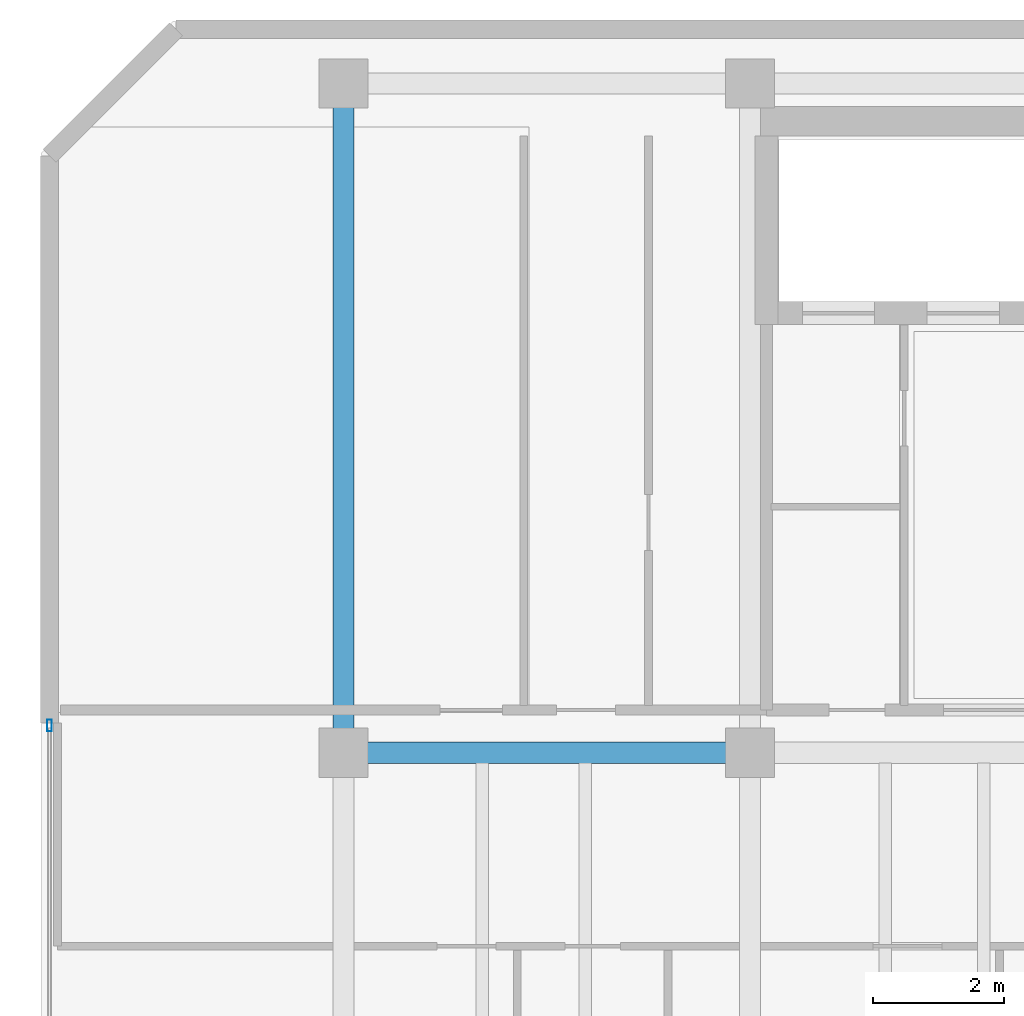
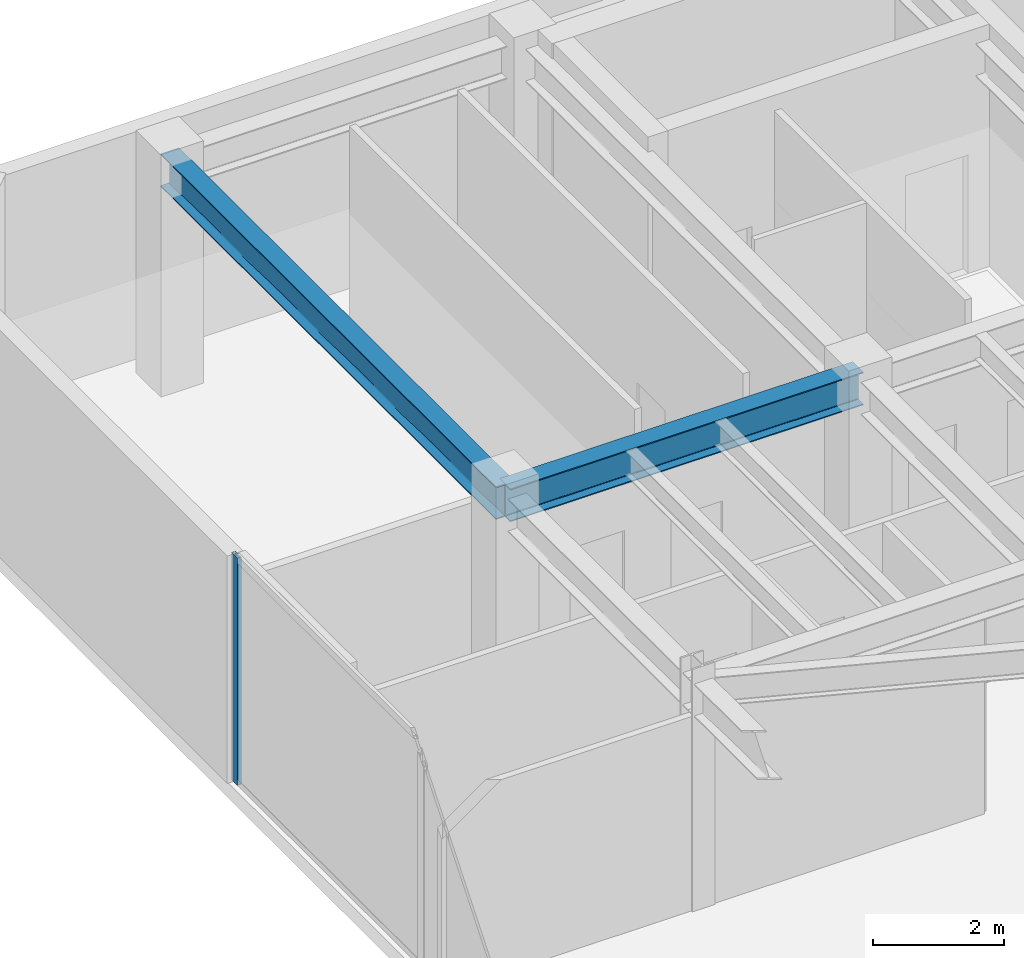
# One storey, part 10 of 17: 2 beams, 1 member, 1 element without a shape of its own.
"""IFC4 building model written with IfcOpenShell, lengths in metres."""

from ifc_helpers import new_model, si_unit, direction, frame, origin, origin_2d, place, context, subcontext, project, spatial, hollow_rectangle, i_section, extrude, material, layer, layer_set, material_profile, profile_set, type_object, element, aggregate, save


model = new_model("IFC4")

# Units and contexts
model_context = context("Model", 3, precision=1e-05, world=origin(), true_north=direction((0.0, 1.0)))
body_context = subcontext(model_context, "Body", "Model", "MODEL_VIEW")
ifc_project = project(units=[si_unit("LENGTHUNIT", "METRE"), si_unit("AREAUNIT", "SQUARE_METRE"), si_unit("VOLUMEUNIT", "CUBIC_METRE"), si_unit("PLANEANGLEUNIT", "RADIAN"), si_unit("MASSUNIT", "GRAM", prefix="KILO")], contexts=[model_context])

# Site, building, storey
site_placement = place(None, origin())
site = spatial("IfcSite", under=ifc_project, at=site_placement, CompositionType="ELEMENT")
building_placement = place(site_placement, origin())
building = spatial("IfcBuilding", under=site, at=building_placement, Name="Kravanh Interchange Tower", CompositionType="ELEMENT")
storey_placement = place(building_placement, frame((0.0, 0.0, 311.10009765625)))
storey = spatial("IfcBuildingStorey", under=building, at=storey_placement, Name="L77", CompositionType="ELEMENT", Elevation=311.10009765625)

# Curtain wall, member
ifc_material_1 = material(Name="Anodised Bronze Aluminium", Category="aluminium")
ifc_layer = layer(ifc_material_1, 0.179931640625)
ifc_layer_set = layer_set([ifc_layer], Name="Unitised Curtain Wall System CW-SKY Sky Observatory")
curtain_wall_type = type_object("IfcCurtainWallType", Name="Unitised Curtain Wall System CW-SKY Sky Observatory", PredefinedType="NOTDEFINED", material=ifc_layer_set)
curtain_wall_placement = place(storey_placement, origin())
curtain_wall = element("IfcCurtainWall", 1, at=curtain_wall_placement, inside=storey, type_object=curtain_wall_type, Name="L77 Unitised Curtain Wall CW-L77-01", PredefinedType="NOTDEFINED")
ifc_material_2 = material(Name="Anodised Bronze Aluminium", Category="aluminium")
ifc_material_profile_1 = material_profile(ifc_material_2, hollow_rectangle(XDim=0.070068359375, YDim=0.179931640625, WallThickness=0.00390625, at=origin_2d()), Name="ALU70X180X4")
ifc_profile_set_1 = profile_set([ifc_material_profile_1], Name="Anodised Bronze Aluminium")
member_type = type_object("IfcMemberType", Name="Curtain Wall Mullion ALU70X180X4 Bronze", PredefinedType="MULLION", material=ifc_profile_set_1)
member_placement = place(storey_placement, frame((34.1201171875, 37.764892578125, 0.0), z_axis=(0.0, 0.0, 1.0), x_axis=(-1.0, 0.0, 0.0)))
member = element("IfcMember", 2, at=member_placement, type_object=member_type, Name="CW-SKY mullion 4", PredefinedType="MULLION", context=body_context, shape_type="SweptSolid", body=[
    extrude(hollow_rectangle(XDim=0.070068359375, YDim=0.179931640625, WallThickness=0.00390625, at=origin_2d()), origin(), (0.0, 0.0, 1.0), 4.219970703125),
])
aggregate(curtain_wall, [member])

# Beams
ifc_material_3 = material(Name="Structural Steel S355", Category="steel")
ifc_material_profile_2 = material_profile(ifc_material_3, i_section(OverallWidth=0.323974609375, OverallDepth=0.611083984375, WebThickness=0.0126953125, FlangeThickness=0.01904296875, FilletRadius=0.02197265625, at=origin_2d()), Name="W24X104")
ifc_profile_set_2 = profile_set([ifc_material_profile_2], Name="Structural Steel S355")
beam_type = type_object("IfcBeamType", Name="Floor Beam W24X104 Structural Steel S355", PredefinedType="BEAM", material=ifc_profile_set_2)
beam_1_placement = place(storey_placement, frame((44.800048828125, 37.35009765625, 3.914306640625), z_axis=(-1.0, 0.0, 0.0), x_axis=(0.0, -1.0, 0.0)))
element("IfcBeam", 3, at=beam_1_placement, inside=storey, type_object=beam_type, Name="L77 Primary Floor Girder 38", PredefinedType="BEAM", context=body_context, shape_type="SweptSolid", body=[
    extrude(i_section(OverallWidth=0.323974609375, OverallDepth=0.611083984375, WebThickness=0.0126953125, FlangeThickness=0.01904296875, FilletRadius=0.02197265625, at=origin_2d()), origin(), (0.0, 0.0, 1.0), 6.199951171875),
])
beam_2_placement = place(storey_placement, frame((38.60009765625, 37.35009765625, 3.914306640625), z_axis=(0.0, 1.0, 0.0), x_axis=(-1.0, 0.0, 0.0)))
element("IfcBeam", 4, at=beam_2_placement, inside=storey, type_object=beam_type, Name="L77 Primary Floor Girder 41", PredefinedType="BEAM", context=body_context, shape_type="SweptSolid", body=[
    extrude(i_section(OverallWidth=0.323974609375, OverallDepth=0.611083984375, WebThickness=0.0126953125, FlangeThickness=0.01904296875, FilletRadius=0.02197265625, at=origin_2d()), origin(), (0.0, 0.0, 1.0), 10.199951171875),
])

save(model, "model.ifc")
